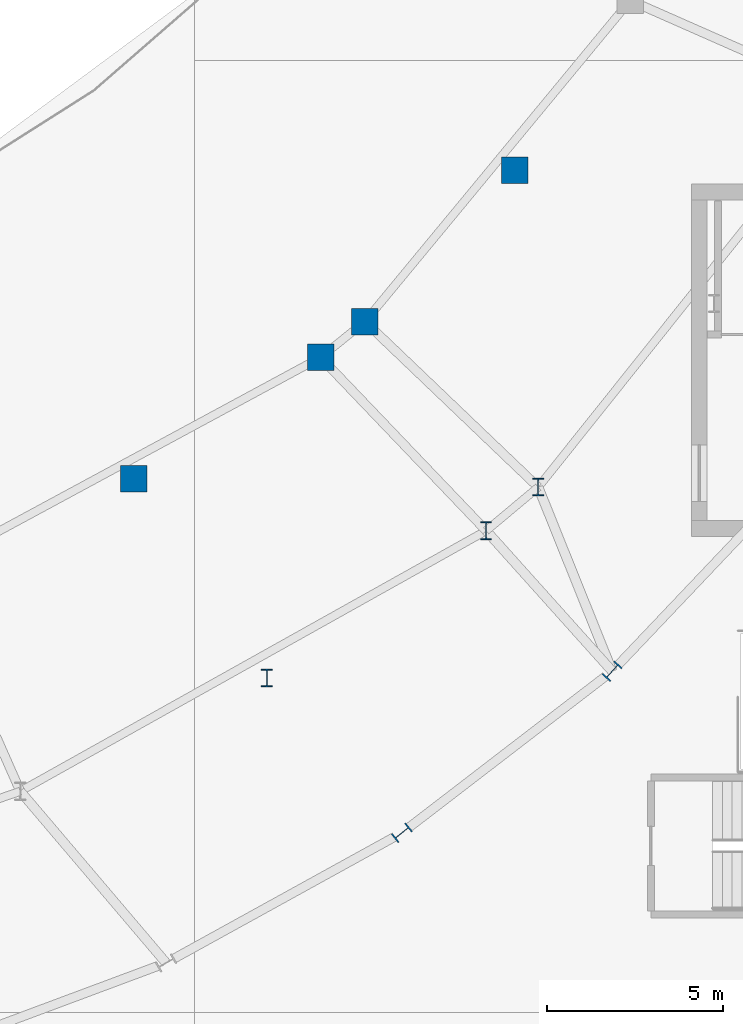
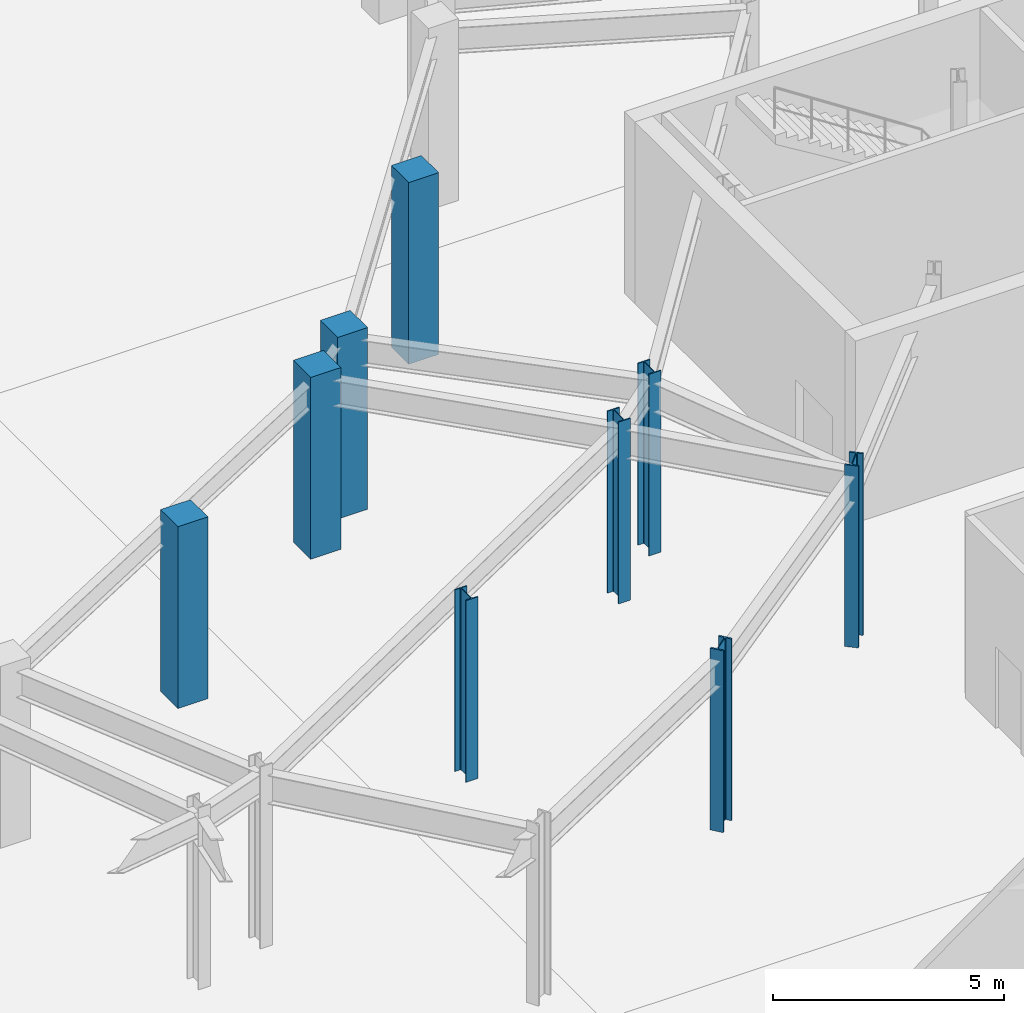
# One storey, part 9 of 86: 9 columns.
"""IFC4 building model written with IfcOpenShell, lengths in metres."""

from ifc_helpers import new_model, si_unit, direction, frame, origin, origin_2d, place, context, subcontext, project, spatial, rectangle, i_section, extrude, material, material_profile, profile_set, type_object, element, save


model = new_model("IFC4")

# Units and contexts
model_context = context("Model", 3, precision=1e-05, world=origin(), true_north=direction((0.0, 1.0)))
body_context = subcontext(model_context, "Body", "Model", "MODEL_VIEW")
ifc_project = project(units=[si_unit("LENGTHUNIT", "METRE"), si_unit("AREAUNIT", "SQUARE_METRE"), si_unit("VOLUMEUNIT", "CUBIC_METRE"), si_unit("PLANEANGLEUNIT", "RADIAN"), si_unit("MASSUNIT", "GRAM", prefix="KILO")], contexts=[model_context])

# Site, building, storey
site_placement = place(None, origin())
site = spatial("IfcSite", under=ifc_project, at=site_placement, CompositionType="ELEMENT")
building_placement = place(site_placement, origin())
building = spatial("IfcBuilding", under=site, at=building_placement, Name="Glasvene Arena", CompositionType="ELEMENT")
storey_placement = place(building_placement, frame((0.0, 0.0, 5.39990234375)))
storey = spatial("IfcBuildingStorey", under=building, at=storey_placement, Name="L01", CompositionType="ELEMENT", Elevation=5.39990234375)

# Columns
ifc_material_1 = material(Name="Concrete C40/50", Category="concrete")
ifc_material_profile_1 = material_profile(ifc_material_1, rectangle(XDim=0.75, YDim=0.75, at=origin_2d()), Name="RC 750x750")
ifc_profile_set_1 = profile_set([ifc_material_profile_1], Name="Concrete C40/50")
column_type_1 = type_object("IfcColumnType", Name="COL-MID-RC750", PredefinedType="COLUMN", material=ifc_profile_set_1)
for number, where, z_axis, x_axis, name in (
    (1, (119.08251953125, 50.081787109375, 0.0), (0.0, 0.0, 1.0), (1.0, 0.0, 0.0), "Mid-bowl fulcrum column L01 14-2"),
    (2, (120.34033203125, 51.09912109375, 0.0), (0.0, 0.0, 1.0), (1.0, 0.0, 0.0), "Mid-bowl fulcrum column L01 15-1"),
    (3, (113.7783203125, 46.642333984375, 0.0), (0.0, 0.0, 1.0), (1.0, 0.0, 0.0), "Mid-sector fulcrum column L01 14"),
    (4, (124.593505859375, 55.388427734375, 0.0), (0.0, 0.0, 1.0), (1.0, 0.0, 0.0), "Mid-sector fulcrum column L01 15"),
):
    element("IfcColumn", number, at=place(storey_placement, frame(where, z_axis=z_axis, x_axis=x_axis)), inside=storey, type_object=column_type_1, Name=name, PredefinedType="COLUMN", context=body_context, shape_type="SweptSolid", body=[
        extrude(rectangle(XDim=0.75, YDim=0.75, at=origin_2d()), origin(), (0.0, 0.0, 1.0), 4.800048828125),
    ])
ifc_material_2 = material(Name="Steel S355J2", Category="steel")
ifc_material_profile_2 = material_profile(ifc_material_2, i_section(OverallWidth=0.305908203125, OverallDepth=0.52392578125, WebThickness=0.02099609375, FlangeThickness=0.0400390625, FilletRadius=0.027099609375, at=origin_2d()), Name="HEM 500")
ifc_profile_set_2 = profile_set([ifc_material_profile_2], Name="Steel S355J2")
column_type_2 = type_object("IfcColumnType", Name="COL-RING-HEM500", PredefinedType="COLUMN", material=ifc_profile_set_2)
for number, where, z_axis, x_axis, name in (
    (5, (121.389404296875, 36.59423828125, 0.0), (0.0, 0.0, 1.0), (0.628098877137, -0.778133536444, 0.0), "Bowl ring column R35 L01"),
    (6, (127.355224609375, 41.18017578125, 0.0), (0.0, 0.0, 1.0), (0.74326159948, -0.669000892928, 0.0), "Bowl ring column R36 L01"),
):
    element("IfcColumn", number, at=place(storey_placement, frame(where, z_axis=z_axis, x_axis=x_axis)), inside=storey, type_object=column_type_2, Name=name, PredefinedType="COLUMN", context=body_context, shape_type="SweptSolid", body=[
        extrude(i_section(OverallWidth=0.305908203125, OverallDepth=0.52392578125, WebThickness=0.02099609375, FlangeThickness=0.0400390625, FilletRadius=0.027099609375, at=origin_2d()), origin(), (0.0, 0.0, 1.0), 4.800048828125),
    ])
ifc_material_profile_3 = material_profile(ifc_material_2, i_section(OverallWidth=0.300048828125, OverallDepth=0.5, WebThickness=0.014404296875, FlangeThickness=0.028076171875, FilletRadius=0.027099609375, at=origin_2d()), Name="HEB 500")
ifc_profile_set_3 = profile_set([ifc_material_profile_3], Name="Steel S355J2")
column_type_3 = type_object("IfcColumnType", Name="COL-W-HEB500", PredefinedType="COLUMN", material=ifc_profile_set_3)
for number, where, z_axis, x_axis, name in (
    (7, (123.780517578125, 45.165771484375, 0.0), (0.0, 0.0, 1.0), (1.0, 0.0, 0.0), "Upper raker rear column L01 14-2"),
    (8, (125.256591796875, 46.40087890625, 0.0), (0.0, 0.0, 1.0), (1.0, 0.0, 0.0), "Upper raker rear column L01 15-1"),
    (9, (117.55615234375, 40.98828125, 0.0), (0.0, 0.0, 1.0), (1.0, 0.0, 0.0), "Mid-sector rear raker column L01 14"),
):
    element("IfcColumn", number, at=place(storey_placement, frame(where, z_axis=z_axis, x_axis=x_axis)), inside=storey, type_object=column_type_3, Name=name, PredefinedType="COLUMN", context=body_context, shape_type="SweptSolid", body=[
        extrude(i_section(OverallWidth=0.300048828125, OverallDepth=0.5, WebThickness=0.014404296875, FlangeThickness=0.028076171875, FilletRadius=0.027099609375, at=origin_2d()), origin(), (0.0, 0.0, 1.0), 4.800048828125),
    ])

save(model, "model.ifc")
